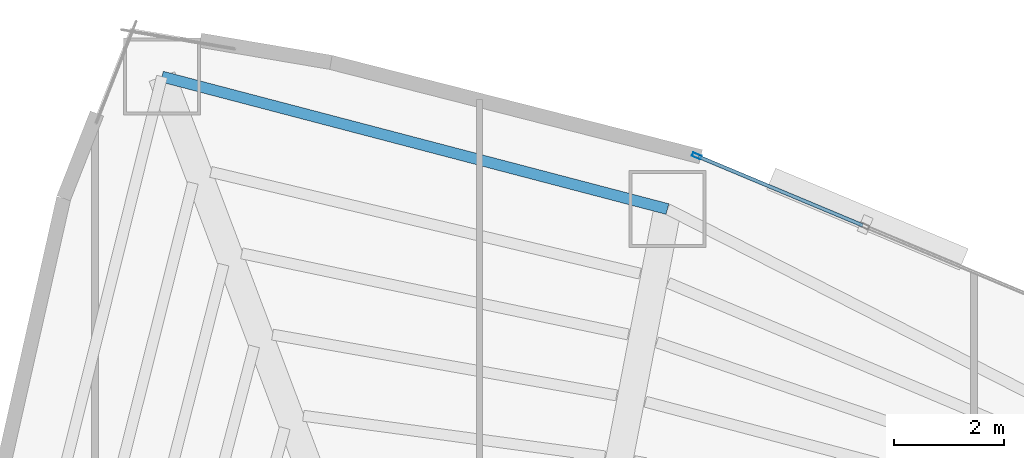
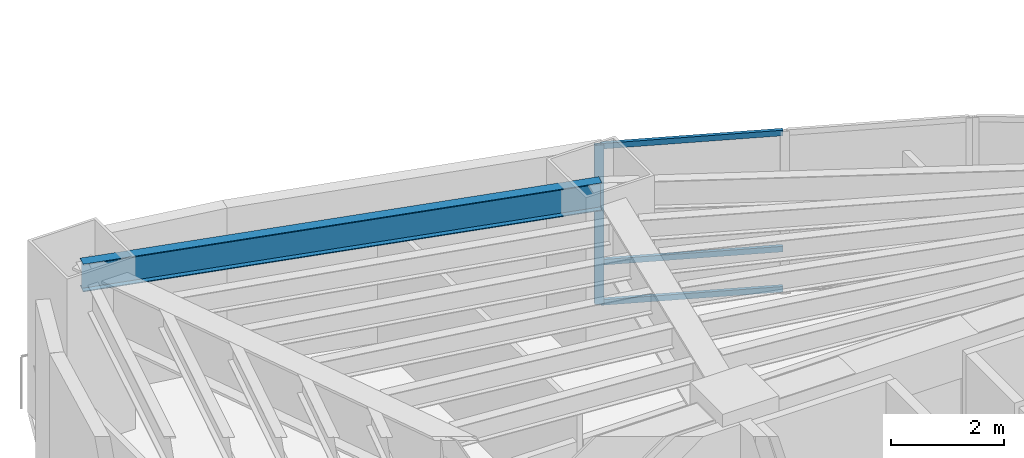
# One storey, part 9 of 18: 4 members, 1 beam, 1 element without a shape of its own.
"""IFC4 building model written with IfcOpenShell, lengths in metres."""

from ifc_helpers import new_model, si_unit, direction, frame, origin, origin_2d, place, context, subcontext, project, spatial, hollow_rectangle, i_section, extrude, material, layer, layer_set, material_profile, profile_set, type_object, element, aggregate, save


model = new_model("IFC4")

# Units and contexts
model_context = context("Model", 3, precision=1e-05, world=origin(), true_north=direction((0.0, 1.0)))
body_context = subcontext(model_context, "Body", "Model", "MODEL_VIEW")
ifc_project = project(units=[si_unit("LENGTHUNIT", "METRE"), si_unit("AREAUNIT", "SQUARE_METRE"), si_unit("VOLUMEUNIT", "CUBIC_METRE"), si_unit("PLANEANGLEUNIT", "RADIAN"), si_unit("MASSUNIT", "GRAM", prefix="KILO")], contexts=[model_context])

# Site, building, storey
site_placement = place(None, origin())
site = spatial("IfcSite", under=ifc_project, at=site_placement, CompositionType="ELEMENT")
building_placement = place(site_placement, origin())
building = spatial("IfcBuilding", under=site, at=building_placement, Name="Menara Vayukalpa", CompositionType="ELEMENT")
storey_placement = place(building_placement, frame((0.0, 0.0, 53.639892578125)))
storey = spatial("IfcBuildingStorey", under=building, at=storey_placement, Name="L12", CompositionType="ELEMENT", Elevation=53.639892578125)

# Beam
ifc_material_1 = material(Name="Steel S355", Category="steel")
ifc_material_profile_1 = material_profile(ifc_material_1, i_section(OverallWidth=0.199951171875, OverallDepth=0.60009765625, WebThickness=0.010986328125, FlangeThickness=0.01708984375, at=origin_2d()), Name="WF 600x200x11x17")
ifc_profile_set_1 = profile_set([ifc_material_profile_1], Name="Steel S355")
beam_type = type_object("IfcBeamType", Name="BM-SP1", PredefinedType="SPANDREL", material=ifc_profile_set_1)
beam_placement = place(storey_placement, frame((23.41943359375, 33.9228515625, 3.14013671875), z_axis=(-0.967331024421, 0.253516644802, 0.0), x_axis=(-0.253516644802, -0.967331024421, 0.0)))
element("IfcBeam", 1, at=beam_placement, inside=storey, type_object=beam_type, Name="L12 Perimeter Spandrel Beam SP03", PredefinedType="SPANDREL", context=body_context, shape_type="SweptSolid", body=[
    extrude(i_section(OverallWidth=0.199951171875, OverallDepth=0.60009765625, WebThickness=0.010986328125, FlangeThickness=0.01708984375, at=origin_2d()), origin(), (0.0, 0.0, 1.0), 9.5126953125),
])

# Curtain wall, members
ifc_material_2 = material(Name="Anodised Terracotta Aluminium Alloy 6063-T6", Category="masonry")
ifc_layer = layer(ifc_material_2, 0.1650390625)
ifc_layer_set = layer_set([ifc_layer], Name="Anodised Terracotta Aluminium Alloy 6063-T6")
curtain_wall_type = type_object("IfcCurtainWallType", Name="CW-CW2", PredefinedType="USERDEFINED", material=ifc_layer_set)
curtain_wall_placement = place(storey_placement, origin())
curtain_wall = element("IfcCurtainWall", 2, at=curtain_wall_placement, inside=storey, type_object=curtain_wall_type, Name="L12 Low Rise Terracotta Ribbon Curtain Wall CW2 05", ObjectType="UNITISED", PredefinedType="USERDEFINED")
ifc_material_3 = material(Name="Anodised Terracotta Aluminium Alloy 6063-T6", Category="masonry")
ifc_material_profile_2 = material_profile(ifc_material_3, hollow_rectangle(XDim=0.070068359375, YDim=0.1650390625, WallThickness=0.00390625, at=origin_2d()), Name="ALU 70x165x4")
ifc_profile_set_2 = profile_set([ifc_material_profile_2], Name="Anodised Terracotta Aluminium Alloy 6063-T6")
member_type_1 = type_object("IfcMemberType", Name="CWM-CW2", PredefinedType="MULLION", material=ifc_profile_set_2)
member_1_placement = place(storey_placement, frame((23.950927734375, 34.889404296875, 0.0), z_axis=(0.0, 0.0, 1.0), x_axis=(-0.385895120445, -0.922542658101, 0.0)))
member_1 = element("IfcMember", 3, at=member_1_placement, type_object=member_type_1, Name="CW2 mullion 3", PredefinedType="MULLION", context=body_context, shape_type="SweptSolid", body=[
    extrude(hollow_rectangle(XDim=0.070068359375, YDim=0.1650390625, WallThickness=0.00390625, at=origin_2d()), origin(), (0.0, 0.0, 1.0), 3.440185546875),
])
ifc_material_4 = material(Name="Anodised Terracotta Aluminium Alloy 6063-T6", Category="masonry")
ifc_material_profile_3 = material_profile(ifc_material_4, hollow_rectangle(XDim=0.06494140625, YDim=0.1201171875, WallThickness=0.00341796875, at=origin_2d()), Name="ALU 65x120x3.5")
ifc_profile_set_3 = profile_set([ifc_material_profile_3], Name="Anodised Terracotta Aluminium Alloy 6063-T6")
member_type_2 = type_object("IfcMemberType", Name="CWT-CW2", PredefinedType="USERDEFINED", material=ifc_profile_set_3)
member_2_placement = place(storey_placement, frame((26.974609375, 33.624755859375, 0.03271484375), z_axis=(-0.922552588381, 0.385871379699, 0.0), x_axis=(-0.385871379699, -0.922552588381, 0.0)))
member_2 = element("IfcMember", 4, at=member_2_placement, type_object=member_type_2, Name="CW2 transom 2.1", ObjectType="TRANSOM", PredefinedType="USERDEFINED", context=body_context, shape_type="SweptSolid", body=[
    extrude(hollow_rectangle(XDim=0.06494140625, YDim=0.1201171875, WallThickness=0.00341796875, at=origin_2d()), origin(), (0.0, 0.0, 1.0), 3.24267578125),
])
member_3_placement = place(storey_placement, frame((26.974609375, 33.624755859375, 0.900146484375), z_axis=(-0.922552588381, 0.385871379699, 0.0), x_axis=(-0.385871379699, -0.922552588381, 0.0)))
member_3 = element("IfcMember", 5, at=member_3_placement, type_object=member_type_2, Name="CW2 transom 2.2", ObjectType="TRANSOM", PredefinedType="USERDEFINED", context=body_context, shape_type="SweptSolid", body=[
    extrude(hollow_rectangle(XDim=0.06494140625, YDim=0.1201171875, WallThickness=0.00341796875, at=origin_2d()), origin(), (0.0, 0.0, 1.0), 3.24267578125),
])
member_4_placement = place(storey_placement, frame((26.974609375, 33.624755859375, 3.40771484375), z_axis=(-0.922552588381, 0.385871379699, 0.0), x_axis=(-0.385871379699, -0.922552588381, 0.0)))
member_4 = element("IfcMember", 6, at=member_4_placement, type_object=member_type_2, Name="CW2 transom 2.3", ObjectType="TRANSOM", PredefinedType="USERDEFINED", context=body_context, shape_type="SweptSolid", body=[
    extrude(hollow_rectangle(XDim=0.06494140625, YDim=0.1201171875, WallThickness=0.00341796875, at=origin_2d()), origin(), (0.0, 0.0, 1.0), 3.24267578125),
])
aggregate(curtain_wall, [member_1, member_2, member_3, member_4])

save(model, "model.ifc")
